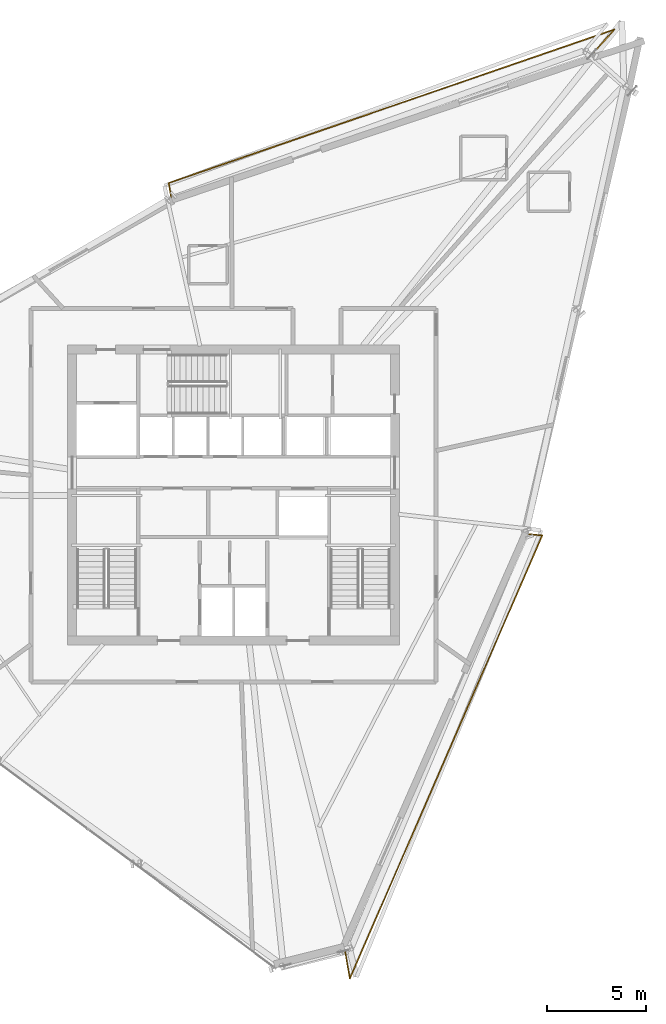
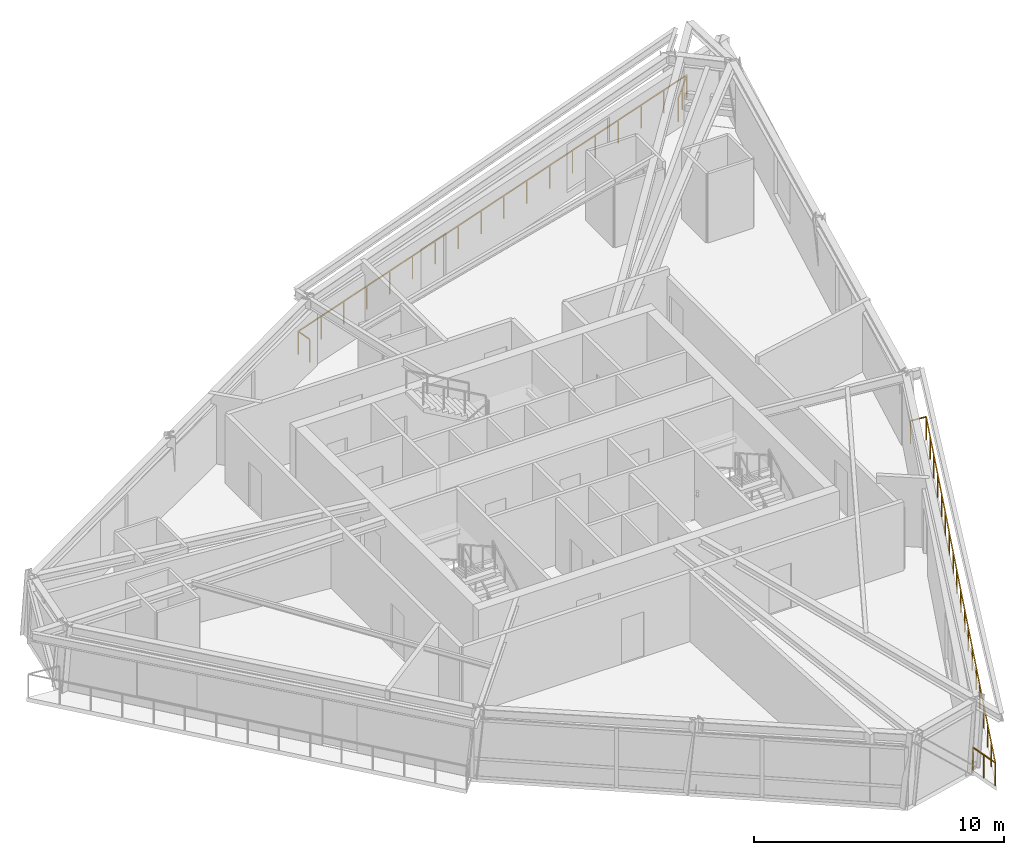
# One storey, part 14 of 14: 2 railings.
"""IFC4 building model written with IfcOpenShell, lengths in metres."""

from ifc_helpers import new_model, si_unit, direction, frame, origin, origin_2d, place, context, subcontext, project, spatial, rectangle, extrude, material, type_object, element, save


model = new_model("IFC4")

# Units and contexts
model_context = context("Model", 3, precision=1e-05, world=origin(), true_north=direction((0.0, 1.0)))
body_context = subcontext(model_context, "Body", "Model", "MODEL_VIEW")
ifc_project = project(units=[si_unit("LENGTHUNIT", "METRE"), si_unit("AREAUNIT", "SQUARE_METRE"), si_unit("VOLUMEUNIT", "CUBIC_METRE"), si_unit("PLANEANGLEUNIT", "RADIAN"), si_unit("MASSUNIT", "GRAM", prefix="KILO")], contexts=[model_context])

# Site, building, storey
site_placement = place(None, origin())
site = spatial("IfcSite", under=ifc_project, at=site_placement, CompositionType="ELEMENT")
building_placement = place(site_placement, origin())
building = spatial("IfcBuilding", under=site, at=building_placement, Name="Olszyna Solenne Hotel", CompositionType="ELEMENT")
storey_placement = place(building_placement, frame((0.0, 0.0, 230.89990234375)))
storey = spatial("IfcBuildingStorey", under=building, at=storey_placement, Name="L61", CompositionType="ELEMENT", Elevation=230.89990234375)

# Railings
ifc_material = material(Name="Anodised bronze aluminium", Category="aluminium")
railing_type = type_object("IfcRailingType", Name="GR-110", PredefinedType="BALUSTRADE", material=ifc_material)
railing_1_placement = place(storey_placement, frame((56.046142578125, 48.7841796875, 0.0)))
element("IfcRailing", 1, at=railing_1_placement, inside=storey, type_object=railing_type, Name="Loggia balcony balustrade guard GR-L61-LG1", PredefinedType="BALUSTRADE", context=body_context, shape_type="SweptSolid", body=[
    extrude(rectangle(XDim=0.048095703125, YDim=0.048095703125, at=origin_2d()), frame((0.0, 0.0, 1.1259765625), z_axis=(0.667600190303, 0.74451997012, 0.0), x_axis=(-0.74451997012, 0.667600190303, 0.0)), (0.0, 0.0, 1.0), 1.691650390625),
    extrude(rectangle(XDim=0.048095703125, YDim=0.048095703125, at=origin_2d()), frame((1.12939453125, 1.259521484375, 1.1259765625), z_axis=(-0.945461055401, -0.325735157328, 0.0), x_axis=(0.325735157328, -0.945461055401, 0.0)), (0.0, 0.0, 1.0), 23.73388671875),
    extrude(rectangle(XDim=0.048095703125, YDim=0.048095703125, at=origin_2d()), frame((-21.31005859375, -6.471435546875, 1.1259765625), z_axis=(0.171094190878, -0.985254676644, 0.0), x_axis=(0.985254676644, 0.171094190878, 0.0)), (0.0, 0.0, 1.0), 0.709228515625),
    extrude(rectangle(XDim=0.0419921875, YDim=0.0419921875, at=origin_2d()), origin(), (0.0, 0.0, 1.0), 1.101806640625),
    extrude(rectangle(XDim=0.0419921875, YDim=0.0419921875, at=origin_2d()), frame((0.564697265625, 0.6298828125, 0.0)), (0.0, 0.0, 1.0), 1.101806640625),
    extrude(rectangle(XDim=0.0419921875, YDim=0.0419921875, at=origin_2d()), frame((1.12939453125, 1.259521484375, 0.0)), (0.0, 0.0, 1.0), 1.101806640625),
    extrude(rectangle(XDim=0.0419921875, YDim=0.0419921875, at=origin_2d()), frame((-0.190673828125, 0.8046875, 0.0)), (0.0, 0.0, 1.0), 1.101806640625),
    extrude(rectangle(XDim=0.0419921875, YDim=0.0419921875, at=origin_2d()), frame((-1.510498046875, 0.35009765625, 0.0)), (0.0, 0.0, 1.0), 1.101806640625),
    extrude(rectangle(XDim=0.0419921875, YDim=0.0419921875, at=origin_2d()), frame((-2.83056640625, -0.104736328125, 0.0)), (0.0, 0.0, 1.0), 1.101806640625),
    extrude(rectangle(XDim=0.0419921875, YDim=0.0419921875, at=origin_2d()), frame((-4.150390625, -0.5595703125, 0.0)), (0.0, 0.0, 1.0), 1.101806640625),
    extrude(rectangle(XDim=0.0419921875, YDim=0.0419921875, at=origin_2d()), frame((-5.470458984375, -1.014404296875, 0.0)), (0.0, 0.0, 1.0), 1.101806640625),
    extrude(rectangle(XDim=0.0419921875, YDim=0.0419921875, at=origin_2d()), frame((-6.79052734375, -1.468994140625, 0.0)), (0.0, 0.0, 1.0), 1.101806640625),
    extrude(rectangle(XDim=0.0419921875, YDim=0.0419921875, at=origin_2d()), frame((-8.1103515625, -1.923828125, 0.0)), (0.0, 0.0, 1.0), 1.101806640625),
    extrude(rectangle(XDim=0.0419921875, YDim=0.0419921875, at=origin_2d()), frame((-9.430419921875, -2.378662109375, 0.0)), (0.0, 0.0, 1.0), 1.101806640625),
    extrude(rectangle(XDim=0.0419921875, YDim=0.0419921875, at=origin_2d()), frame((-10.750244140625, -2.833251953125, 0.0)), (0.0, 0.0, 1.0), 1.101806640625),
    extrude(rectangle(XDim=0.0419921875, YDim=0.0419921875, at=origin_2d()), frame((-12.0703125, -3.2880859375, 0.0)), (0.0, 0.0, 1.0), 1.101806640625),
    extrude(rectangle(XDim=0.0419921875, YDim=0.0419921875, at=origin_2d()), frame((-13.39013671875, -3.742919921875, 0.0)), (0.0, 0.0, 1.0), 1.101806640625),
    extrude(rectangle(XDim=0.0419921875, YDim=0.0419921875, at=origin_2d()), frame((-14.710205078125, -4.197509765625, 0.0)), (0.0, 0.0, 1.0), 1.101806640625),
    extrude(rectangle(XDim=0.0419921875, YDim=0.0419921875, at=origin_2d()), frame((-16.0302734375, -4.65234375, 0.0)), (0.0, 0.0, 1.0), 1.101806640625),
    extrude(rectangle(XDim=0.0419921875, YDim=0.0419921875, at=origin_2d()), frame((-17.35009765625, -5.107177734375, 0.0)), (0.0, 0.0, 1.0), 1.101806640625),
    extrude(rectangle(XDim=0.0419921875, YDim=0.0419921875, at=origin_2d()), frame((-18.670166015625, -5.56201171875, 0.0)), (0.0, 0.0, 1.0), 1.101806640625),
    extrude(rectangle(XDim=0.0419921875, YDim=0.0419921875, at=origin_2d()), frame((-19.989990234375, -6.0166015625, 0.0)), (0.0, 0.0, 1.0), 1.101806640625),
    extrude(rectangle(XDim=0.0419921875, YDim=0.0419921875, at=origin_2d()), frame((-21.31005859375, -6.471435546875, 0.0)), (0.0, 0.0, 1.0), 1.101806640625),
    extrude(rectangle(XDim=0.0419921875, YDim=0.0419921875, at=origin_2d()), frame((-21.188720703125, -7.170166015625, 0.0)), (0.0, 0.0, 1.0), 1.101806640625),
])
railing_2_placement = place(storey_placement, frame((43.61328125, 3.660400390625, 0.0)))
element("IfcRailing", 2, at=railing_2_placement, inside=storey, type_object=railing_type, Name="Loggia balcony balustrade guard GR-L61-LG3", PredefinedType="BALUSTRADE", context=body_context, shape_type="SweptSolid", body=[
    extrude(rectangle(XDim=0.048095703125, YDim=0.048095703125, at=origin_2d()), frame((0.0, 0.0, 1.1259765625), z_axis=(0.17123223429, -0.985230694782, 0.0), x_axis=(0.985230694782, 0.17123223429, 0.0)), (0.0, 0.0, 1.0), 1.418701171875),
    extrude(rectangle(XDim=0.048095703125, YDim=0.048095703125, at=origin_2d()), frame((0.242919921875, -1.397705078125, 1.1259765625), z_axis=(0.398262401558, 0.917271529868, 0.0), x_axis=(-0.917271529868, 0.398262401558, 0.0)), (0.0, 0.0, 1.0), 24.317626953125),
    extrude(rectangle(XDim=0.048095703125, YDim=0.048095703125, at=origin_2d()), frame((9.927734375, 20.908203125, 1.1259765625), z_axis=(-0.995005598466, 0.099819131543, 0.0), x_axis=(-0.099819131543, -0.995005598466, 0.0)), (0.0, 0.0, 1.0), 0.689697265625),
    extrude(rectangle(XDim=0.0419921875, YDim=0.0419921875, at=origin_2d()), origin(), (0.0, 0.0, 1.0), 1.101806640625),
    extrude(rectangle(XDim=0.0419921875, YDim=0.0419921875, at=origin_2d()), frame((0.12158203125, -0.69873046875, 0.0)), (0.0, 0.0, 1.0), 1.101806640625),
    extrude(rectangle(XDim=0.0419921875, YDim=0.0419921875, at=origin_2d()), frame((0.242919921875, -1.397705078125, 0.0)), (0.0, 0.0, 1.0), 1.101806640625),
    extrude(rectangle(XDim=0.0419921875, YDim=0.0419921875, at=origin_2d()), frame((0.781005859375, -0.158447265625, 0.0)), (0.0, 0.0, 1.0), 1.101806640625),
    extrude(rectangle(XDim=0.0419921875, YDim=0.0419921875, at=origin_2d()), frame((1.319091796875, 1.080810546875, 0.0)), (0.0, 0.0, 1.0), 1.101806640625),
    extrude(rectangle(XDim=0.0419921875, YDim=0.0419921875, at=origin_2d()), frame((1.85693359375, 2.31982421875, 0.0)), (0.0, 0.0, 1.0), 1.101806640625),
    extrude(rectangle(XDim=0.0419921875, YDim=0.0419921875, at=origin_2d()), frame((2.39501953125, 3.55908203125, 0.0)), (0.0, 0.0, 1.0), 1.101806640625),
    extrude(rectangle(XDim=0.0419921875, YDim=0.0419921875, at=origin_2d()), frame((2.93310546875, 4.79833984375, 0.0)), (0.0, 0.0, 1.0), 1.101806640625),
    extrude(rectangle(XDim=0.0419921875, YDim=0.0419921875, at=origin_2d()), frame((3.47119140625, 6.03759765625, 0.0)), (0.0, 0.0, 1.0), 1.101806640625),
    extrude(rectangle(XDim=0.0419921875, YDim=0.0419921875, at=origin_2d()), frame((4.00927734375, 7.27685546875, 0.0)), (0.0, 0.0, 1.0), 1.101806640625),
    extrude(rectangle(XDim=0.0419921875, YDim=0.0419921875, at=origin_2d()), frame((4.54736328125, 8.51611328125, 0.0)), (0.0, 0.0, 1.0), 1.101806640625),
    extrude(rectangle(XDim=0.0419921875, YDim=0.0419921875, at=origin_2d()), frame((5.08544921875, 9.75537109375, 0.0)), (0.0, 0.0, 1.0), 1.101806640625),
    extrude(rectangle(XDim=0.0419921875, YDim=0.0419921875, at=origin_2d()), frame((5.623291015625, 10.994384765625, 0.0)), (0.0, 0.0, 1.0), 1.101806640625),
    extrude(rectangle(XDim=0.0419921875, YDim=0.0419921875, at=origin_2d()), frame((6.161376953125, 12.233642578125, 0.0)), (0.0, 0.0, 1.0), 1.101806640625),
    extrude(rectangle(XDim=0.0419921875, YDim=0.0419921875, at=origin_2d()), frame((6.699462890625, 13.472900390625, 0.0)), (0.0, 0.0, 1.0), 1.101806640625),
    extrude(rectangle(XDim=0.0419921875, YDim=0.0419921875, at=origin_2d()), frame((7.237548828125, 14.712158203125, 0.0)), (0.0, 0.0, 1.0), 1.101806640625),
    extrude(rectangle(XDim=0.0419921875, YDim=0.0419921875, at=origin_2d()), frame((7.775634765625, 15.951416015625, 0.0)), (0.0, 0.0, 1.0), 1.101806640625),
    extrude(rectangle(XDim=0.0419921875, YDim=0.0419921875, at=origin_2d()), frame((8.3134765625, 17.1904296875, 0.0)), (0.0, 0.0, 1.0), 1.101806640625),
    extrude(rectangle(XDim=0.0419921875, YDim=0.0419921875, at=origin_2d()), frame((8.8515625, 18.4296875, 0.0)), (0.0, 0.0, 1.0), 1.101806640625),
    extrude(rectangle(XDim=0.0419921875, YDim=0.0419921875, at=origin_2d()), frame((9.3896484375, 19.6689453125, 0.0)), (0.0, 0.0, 1.0), 1.101806640625),
    extrude(rectangle(XDim=0.0419921875, YDim=0.0419921875, at=origin_2d()), frame((9.927734375, 20.908203125, 0.0)), (0.0, 0.0, 1.0), 1.101806640625),
    extrude(rectangle(XDim=0.0419921875, YDim=0.0419921875, at=origin_2d()), frame((9.241455078125, 20.97705078125, 0.0)), (0.0, 0.0, 1.0), 1.101806640625),
])

save(model, "model.ifc")
